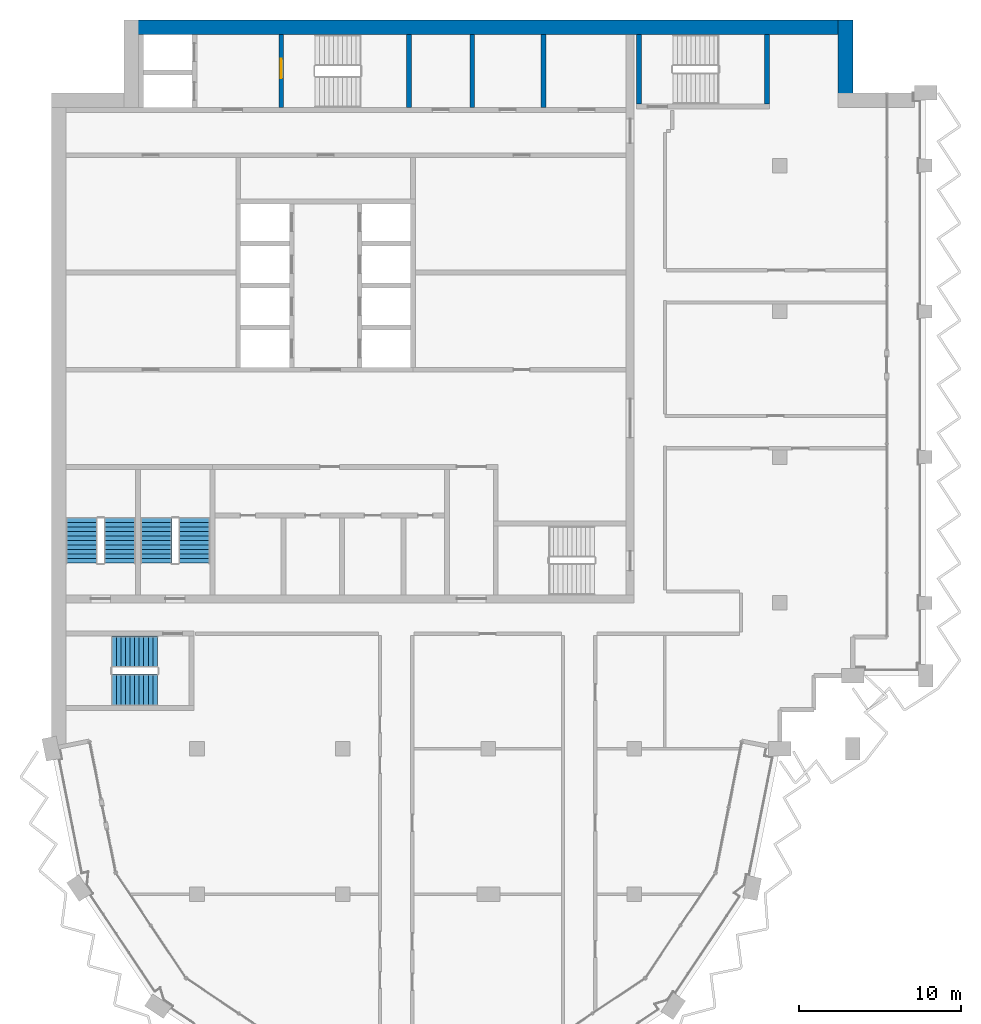
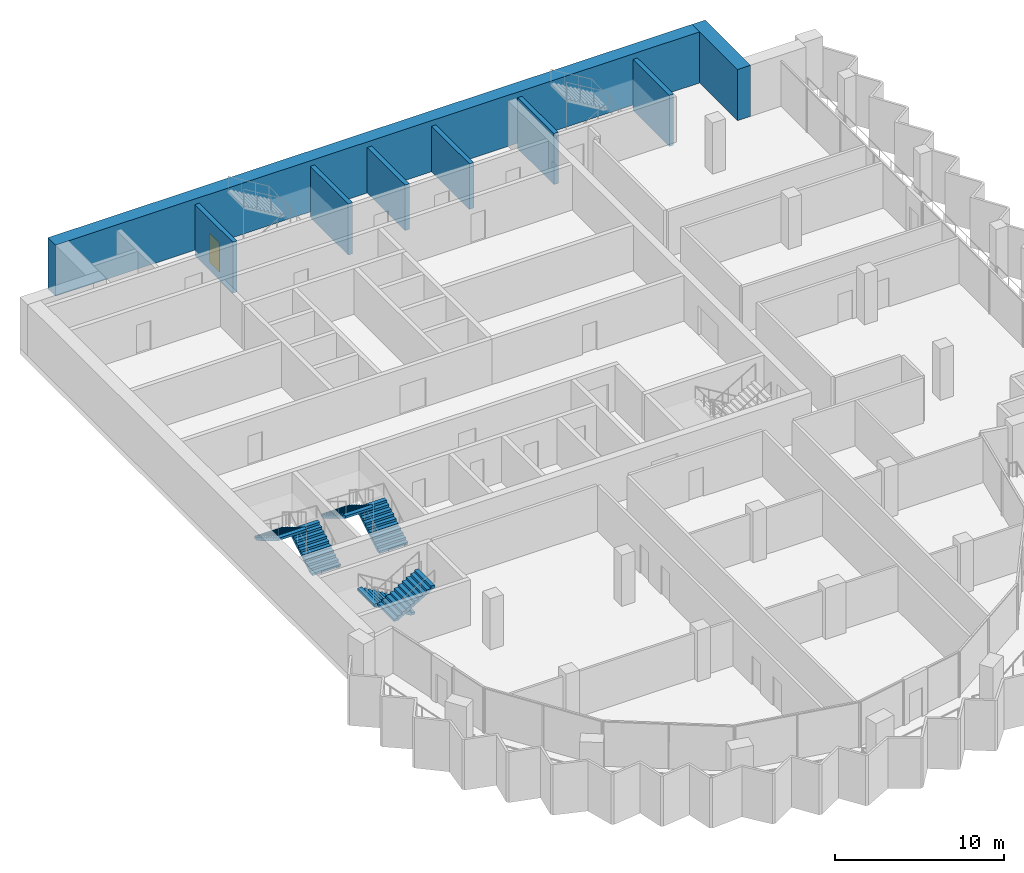
# One storey, part 9 of 13: 8 walls, 6 stair flights, 1 door, 1 opening, 3 elements without a shape of their own.
"""IFC4 building model written with IfcOpenShell, lengths in metres."""

from ifc_helpers import new_model, si_unit, direction, frame, frame_2d, origin, place, context, subcontext, project, spatial, polyline, rectangle, outline, extrude, material, layer, layer_set, type_object, element, fill, aggregate, save


model = new_model("IFC4")

# Units and contexts
model_context = context("Model", 3, precision=1e-05, world=origin(), true_north=direction((0.0, 1.0)))
body_context = subcontext(model_context, "Body", "Model", "MODEL_VIEW")
ifc_project = project(units=[si_unit("LENGTHUNIT", "METRE"), si_unit("AREAUNIT", "SQUARE_METRE"), si_unit("VOLUMEUNIT", "CUBIC_METRE"), si_unit("PLANEANGLEUNIT", "RADIAN"), si_unit("MASSUNIT", "GRAM", prefix="KILO")], contexts=[model_context])

# Site, building, storey
site_placement = place(None, origin())
site = spatial("IfcSite", under=ifc_project, at=site_placement, CompositionType="ELEMENT")
building_placement = place(site_placement, origin())
building = spatial("IfcBuilding", under=site, at=building_placement, Name="Hunhe Ridgeline Campus", CompositionType="ELEMENT")
storey_placement = place(building_placement, frame((0.0, 0.0, 280.800048828125)))
storey = spatial("IfcBuildingStorey", under=building, at=storey_placement, Name="L72", CompositionType="ELEMENT", Elevation=280.800048828125)

# Walls
ifc_material_1 = material(Name="Masonry concrete blockwork", Category="masonry")
ifc_layer_1 = layer(ifc_material_1, 0.300048828125)
ifc_layer_set_1 = layer_set([ifc_layer_1], Name="Core room partition 300 concrete block")
wall_type_1 = type_object("IfcWallType", Name="Core room partition 300 concrete block", PredefinedType="PARTITIONING", material=ifc_layer_set_1)
for number, where, z_axis, x_axis, name in (
    (1, (26.0, 93.60009765625, 0.0), (0.0, 0.0, 1.0), (0.0, 1.0, 0.0), "L72 core partition 40"),
    (2, (30.39990234375, 93.60009765625, 0.0), (0.0, 0.0, 1.0), (0.0, 1.0, 0.0), "L72 core partition 43"),
):
    element("IfcWall", number, at=place(storey_placement, frame(where, z_axis=z_axis, x_axis=x_axis)), inside=storey, type_object=wall_type_1, Name=name, PredefinedType="PARTITIONING", context=body_context, shape_type="SweptSolid", body=[
        extrude(rectangle(XDim=4.5, YDim=0.300048828125, at=frame_2d((2.25, 0.0))), origin(), (0.0, 0.0, 1.0), 3.300048828125),
    ])
ifc_material_2 = material(Name="Concrete C50", Category="concrete")
ifc_layer_2 = layer(ifc_material_2, 0.89990234375)
ifc_layer_set_2 = layer_set([ifc_layer_2], Name="Spine wall 900 Concrete C50")
wall_type_2 = type_object("IfcWallType", Name="Spine wall 900 Concrete C50", PredefinedType="SHEAR", material=ifc_layer_set_2)
wall_1_placement = place(storey_placement, frame((49.050048828125, 93.60009765625, 0.0), z_axis=(0.0, 0.0, 1.0), x_axis=(0.0, 1.0, 0.0)))
element("IfcWall", 3, at=wall_1_placement, inside=storey, type_object=wall_type_2, Name="Spine wall SW4-3 L72", PredefinedType="SHEAR", context=body_context, shape_type="SweptSolid", body=[
    extrude(rectangle(XDim=5.39990234375, YDim=0.89990234375, at=frame_2d((2.699951171875, 0.0))), origin(), (0.0, 0.0, 1.0), 3.699951171875),
])
wall_2_placement = place(storey_placement, frame((49.5, 98.550048828125, 0.0), z_axis=(0.0, 0.0, 1.0), x_axis=(-1.0, 0.0, 0.0)))
element("IfcWall", 4, at=wall_2_placement, inside=storey, type_object=wall_type_2, Name="Spine wall SW4-4 L72", PredefinedType="SHEAR", context=body_context, shape_type="SweptSolid", body=[
    extrude(rectangle(XDim=45.0, YDim=0.89990234375, at=frame_2d((22.5, 0.0))), origin(), (0.0, 0.0, 1.0), 3.699951171875),
])

# Wall, opening, door
ifc_layer_3 = layer(ifc_material_2, 0.300048828125)
ifc_layer_set_3 = layer_set([ifc_layer_3], Name="Stair wall 300 reinforced concrete C50")
wall_type_3 = type_object("IfcWallType", Name="Stair wall 300 reinforced concrete C50", PredefinedType="SOLIDWALL", material=ifc_layer_set_3)
wall_3_placement = place(storey_placement, frame((14.199951171875, 93.60009765625, -0.400146484375), z_axis=(0.0, 0.0, 1.0), x_axis=(0.0, 1.0, 0.0)))
wall_3 = element("IfcWall", 5, at=wall_3_placement, inside=storey, type_object=wall_type_3, Name="L72 core wall 30", PredefinedType="SOLIDWALL", context=body_context, shape_type="SweptSolid", body=[
    extrude(rectangle(XDim=4.5, YDim=0.300048828125, at=frame_2d((2.25, 0.0))), origin(), (0.0, 0.0, 1.0), 3.7001953125),
])
opening_placement = place(wall_3_placement, frame((1.800048828125, 0.0, 0.39990234375)))
opening = element("IfcOpeningElement", 6, at=opening_placement, cuts=wall_3, Name="Opening CD16", PredefinedType="OPENING", context=body_context, shape_type="SweptSolid", body=[
    extrude(rectangle(XDim=1.199951171875, YDim=2.10009765625, at=frame_2d((0.60009765625, 1.050048828125))), frame((0.0, 0.14990234375, 0.0), z_axis=(0.0, -1.0, 0.0), x_axis=(1.0, 0.0, 0.0)), (0.0, 0.0, 1.0), 0.300048828125),
])
ifc_material_3 = material(Name="Hollow metal fire door leaf")
door_type = type_object("IfcDoorType", Name="Stair door 1200x2100 FD60", OperationType="SINGLE_SWING_LEFT", PredefinedType="DOOR", material=ifc_material_3)
door_placement = place(opening_placement, origin())
door = element("IfcDoor", 7, at=door_placement, inside=storey, type_object=door_type, Name="L72 door S1-FF", OperationType="SINGLE_SWING_RIGHT", OverallHeight=2.10009765625, OverallWidth=1.199951171875, PredefinedType="DOOR", context=body_context, shape_type="SweptSolid", body=[
    extrude(rectangle(XDim=1.199951171875, YDim=2.10009765625, at=frame_2d((0.60009765625, 1.050048828125))), frame((0.0, 0.02490234375, 0.0), z_axis=(0.0, -1.0, 0.0), x_axis=(1.0, 0.0, 0.0)), (0.0, 0.0, 1.0), 0.050048828125),
])
fill(opening, door)

# Walls
wall_4_placement = place(storey_placement, frame((22.10009765625, 93.60009765625, -0.400146484375), z_axis=(0.0, 0.0, 1.0), x_axis=(0.0, 1.0, 0.0)))
element("IfcWall", 8, at=wall_4_placement, inside=storey, type_object=wall_type_3, Name="L72 core wall 36", PredefinedType="SOLIDWALL", context=body_context, shape_type="SweptSolid", body=[
    extrude(rectangle(XDim=4.5, YDim=0.300048828125, at=frame_2d((2.25, 0.0))), origin(), (0.0, 0.0, 1.0), 3.7001953125),
])
for number, where, z_axis, x_axis, name in (
    (9, (36.300048828125, 93.800048828125, -0.400146484375), (0.0, 0.0, 1.0), (0.0, 1.0, 0.0), "L72 core wall 45"),
    (10, (44.199951171875, 93.800048828125, -0.400146484375), (0.0, 0.0, 1.0), (0.0, 1.0, 0.0), "L72 core wall 46"),
):
    element("IfcWall", number, at=place(storey_placement, frame(where, z_axis=z_axis, x_axis=x_axis)), inside=storey, type_object=wall_type_3, Name=name, PredefinedType="SOLIDWALL", context=body_context, shape_type="SweptSolid", body=[
        extrude(rectangle(XDim=4.300048828125, YDim=0.300048828125, at=frame_2d((2.14990234375, 0.0))), origin(), (0.0, 0.0, 1.0), 3.7001953125),
    ])

# Stair, stair flights
ifc_material_4 = material(Name="Concrete C40", Category="concrete")
stair_type = type_object("IfcStairType", Name="Reinforced concrete dog-leg stair 1950 Concrete C40", PredefinedType="HALF_TURN_STAIR", material=ifc_material_4)
stair_1_placement = place(storey_placement, origin())
stair_1 = element("IfcStair", 11, at=stair_1_placement, inside=storey, type_object=stair_type, Name="L72 S3", PredefinedType="HALF_TURN_STAIR")
stair_flight_type = type_object("IfcStairFlightType", Name="Reinforced concrete stair flight 1950 Concrete C40", PredefinedType="STRAIGHT", material=ifc_material_4)
stair_flight_1_placement = place(storey_placement, frame((4.22509765625, 65.449951171875, 0.0), z_axis=(0.0, 0.0, 1.0), x_axis=(0.0, 1.0, 0.0)))
stair_flight_1 = element("IfcStairFlight", 12, at=stair_flight_1_placement, type_object=stair_flight_type, Name="ST3 flight 1", NumberOfRisers=11, NumberOfTreads=10, PredefinedType="STRAIGHT", RiserHeight=0.168181818, TreadLength=0.28, context=body_context, shape_type="SweptSolid", body=[
    extrude(outline(polyline([(0.0, 0.0), (0.0, 0.168212890625), (0.280029296875, 0.168212890625), (0.280029296875, 0.33642578125), (0.56005859375, 0.33642578125), (0.56005859375, 0.504638671875), (0.840087890625, 0.504638671875), (0.840087890625, 0.672607421875), (1.1201171875, 0.672607421875), (1.1201171875, 0.8408203125), (1.39990234375, 0.8408203125), (1.39990234375, 1.009033203125), (1.679931640625, 1.009033203125), (1.679931640625, 1.17724609375), (1.9599609375, 1.17724609375), (1.9599609375, 1.345458984375), (2.239990234375, 1.345458984375), (2.239990234375, 1.513671875), (2.52001953125, 1.513671875), (2.52001953125, 1.681884765625), (2.800048828125, 1.681884765625), (2.800048828125, 1.85009765625), (2.800048828125, 1.5068359375), (0.291015625, 0.0), (0.0, 0.0)])), frame((0.0, 0.97509765625, 0.0), z_axis=(0.0, -1.0, 0.0), x_axis=(1.0, 0.0, 0.0)), (0.0, 0.0, 1.0), 1.949951171875),
    extrude(outline(polyline([(0.030029296875, 0.030029296875), (0.030029296875, 0.13818359375), (0.31005859375, 0.13818359375), (0.31005859375, 0.306396484375), (0.590087890625, 0.306396484375), (0.590087890625, 0.474609375), (0.8701171875, 0.474609375), (0.8701171875, 0.642578125), (1.14990234375, 0.642578125), (1.14990234375, 0.810791015625), (1.429931640625, 0.810791015625), (1.429931640625, 0.97900390625), (1.7099609375, 0.97900390625), (1.7099609375, 1.147216796875), (1.989990234375, 1.147216796875), (1.989990234375, 1.3154296875), (2.27001953125, 1.3154296875), (2.27001953125, 1.483642578125), (2.550048828125, 1.483642578125), (2.550048828125, 1.65185546875), (2.77001953125, 1.65185546875), (2.77001953125, 1.52392578125), (0.28271484375, 0.030029296875), (0.030029296875, 0.030029296875)])), frame((0.0, -0.070068359375, 0.0), z_axis=(0.0, -1.0, 0.0), x_axis=(1.0, 0.0, 0.0)), (0.0, 0.0, 1.0), 0.019775390625),
    extrude(outline(polyline([(0.030029296875, 0.030029296875), (0.030029296875, 0.13818359375), (0.31005859375, 0.13818359375), (0.31005859375, 0.306396484375), (0.590087890625, 0.306396484375), (0.590087890625, 0.474609375), (0.8701171875, 0.474609375), (0.8701171875, 0.642578125), (1.14990234375, 0.642578125), (1.14990234375, 0.810791015625), (1.429931640625, 0.810791015625), (1.429931640625, 0.97900390625), (1.7099609375, 0.97900390625), (1.7099609375, 1.147216796875), (1.989990234375, 1.147216796875), (1.989990234375, 1.3154296875), (2.27001953125, 1.3154296875), (2.27001953125, 1.483642578125), (2.550048828125, 1.483642578125), (2.550048828125, 1.65185546875), (2.77001953125, 1.65185546875), (2.77001953125, 1.52392578125), (0.28271484375, 0.030029296875), (0.030029296875, 0.030029296875)])), frame((0.0, 0.010009765625, 0.0), z_axis=(0.0, -1.0, 0.0), x_axis=(1.0, 0.0, 0.0)), (0.0, 0.0, 1.0), 0.019775390625),
    extrude(outline(polyline([(0.030029296875, 0.030029296875), (0.030029296875, 0.13818359375), (0.31005859375, 0.13818359375), (0.31005859375, 0.306396484375), (0.590087890625, 0.306396484375), (0.590087890625, 0.474609375), (0.8701171875, 0.474609375), (0.8701171875, 0.642578125), (1.14990234375, 0.642578125), (1.14990234375, 0.810791015625), (1.429931640625, 0.810791015625), (1.429931640625, 0.97900390625), (1.7099609375, 0.97900390625), (1.7099609375, 1.147216796875), (1.989990234375, 1.147216796875), (1.989990234375, 1.3154296875), (2.27001953125, 1.3154296875), (2.27001953125, 1.483642578125), (2.550048828125, 1.483642578125), (2.550048828125, 1.65185546875), (2.77001953125, 1.65185546875), (2.77001953125, 1.52392578125), (0.28271484375, 0.030029296875), (0.030029296875, 0.030029296875)])), frame((0.0, 0.090087890625, 0.0), z_axis=(0.0, -1.0, 0.0), x_axis=(1.0, 0.0, 0.0)), (0.0, 0.0, 1.0), 0.019775390625),
])
stair_flight_2_placement = place(storey_placement, frame((1.875, 68.25, 1.849853515625), z_axis=(0.0, 0.0, 1.0), x_axis=(0.0, -1.0, 0.0)))
stair_flight_2 = element("IfcStairFlight", 13, at=stair_flight_2_placement, type_object=stair_flight_type, Name="ST3 flight 2", NumberOfRisers=11, NumberOfTreads=10, PredefinedType="STRAIGHT", RiserHeight=0.168181818, TreadLength=0.28, context=body_context, shape_type="SweptSolid", body=[
    extrude(outline(polyline([(0.0, 0.0), (0.0, 0.168212890625), (0.280029296875, 0.168212890625), (0.280029296875, 0.33642578125), (0.56005859375, 0.33642578125), (0.56005859375, 0.504638671875), (0.840087890625, 0.504638671875), (0.840087890625, 0.672607421875), (1.1201171875, 0.672607421875), (1.1201171875, 0.8408203125), (1.39990234375, 0.8408203125), (1.39990234375, 1.009033203125), (1.679931640625, 1.009033203125), (1.679931640625, 1.17724609375), (1.9599609375, 1.17724609375), (1.9599609375, 1.345458984375), (2.239990234375, 1.345458984375), (2.239990234375, 1.513671875), (2.52001953125, 1.513671875), (2.52001953125, 1.681884765625), (2.800048828125, 1.681884765625), (2.800048828125, 1.85009765625), (2.800048828125, 1.5068359375), (0.291015625, 0.0), (0.0, 0.0)])), frame((0.0, 0.97509765625, 0.0), z_axis=(0.0, -1.0, 0.0), x_axis=(1.0, 0.0, 0.0)), (0.0, 0.0, 1.0), 1.949951171875),
    extrude(outline(polyline([(0.030029296875, 0.030029296875), (0.030029296875, 0.13818359375), (0.31005859375, 0.13818359375), (0.31005859375, 0.306396484375), (0.590087890625, 0.306396484375), (0.590087890625, 0.474609375), (0.8701171875, 0.474609375), (0.8701171875, 0.642578125), (1.14990234375, 0.642578125), (1.14990234375, 0.810791015625), (1.429931640625, 0.810791015625), (1.429931640625, 0.97900390625), (1.7099609375, 0.97900390625), (1.7099609375, 1.147216796875), (1.989990234375, 1.147216796875), (1.989990234375, 1.3154296875), (2.27001953125, 1.3154296875), (2.27001953125, 1.483642578125), (2.550048828125, 1.483642578125), (2.550048828125, 1.65185546875), (2.77001953125, 1.65185546875), (2.77001953125, 1.52392578125), (0.28271484375, 0.030029296875), (0.030029296875, 0.030029296875)])), frame((0.0, -0.070068359375, 0.0), z_axis=(0.0, -1.0, 0.0), x_axis=(1.0, 0.0, 0.0)), (0.0, 0.0, 1.0), 0.019775390625),
    extrude(outline(polyline([(0.030029296875, 0.030029296875), (0.030029296875, 0.13818359375), (0.31005859375, 0.13818359375), (0.31005859375, 0.306396484375), (0.590087890625, 0.306396484375), (0.590087890625, 0.474609375), (0.8701171875, 0.474609375), (0.8701171875, 0.642578125), (1.14990234375, 0.642578125), (1.14990234375, 0.810791015625), (1.429931640625, 0.810791015625), (1.429931640625, 0.97900390625), (1.7099609375, 0.97900390625), (1.7099609375, 1.147216796875), (1.989990234375, 1.147216796875), (1.989990234375, 1.3154296875), (2.27001953125, 1.3154296875), (2.27001953125, 1.483642578125), (2.550048828125, 1.483642578125), (2.550048828125, 1.65185546875), (2.77001953125, 1.65185546875), (2.77001953125, 1.52392578125), (0.28271484375, 0.030029296875), (0.030029296875, 0.030029296875)])), frame((0.0, 0.010009765625, 0.0), z_axis=(0.0, -1.0, 0.0), x_axis=(1.0, 0.0, 0.0)), (0.0, 0.0, 1.0), 0.019775390625),
    extrude(outline(polyline([(0.030029296875, 0.030029296875), (0.030029296875, 0.13818359375), (0.31005859375, 0.13818359375), (0.31005859375, 0.306396484375), (0.590087890625, 0.306396484375), (0.590087890625, 0.474609375), (0.8701171875, 0.474609375), (0.8701171875, 0.642578125), (1.14990234375, 0.642578125), (1.14990234375, 0.810791015625), (1.429931640625, 0.810791015625), (1.429931640625, 0.97900390625), (1.7099609375, 0.97900390625), (1.7099609375, 1.147216796875), (1.989990234375, 1.147216796875), (1.989990234375, 1.3154296875), (2.27001953125, 1.3154296875), (2.27001953125, 1.483642578125), (2.550048828125, 1.483642578125), (2.550048828125, 1.65185546875), (2.77001953125, 1.65185546875), (2.77001953125, 1.52392578125), (0.28271484375, 0.030029296875), (0.030029296875, 0.030029296875)])), frame((0.0, 0.090087890625, 0.0), z_axis=(0.0, -1.0, 0.0), x_axis=(1.0, 0.0, 0.0)), (0.0, 0.0, 1.0), 0.019775390625),
])
aggregate(stair_1, [stair_flight_1, stair_flight_2])

stair_2_placement = place(storey_placement, origin())
stair_2 = element("IfcStair", 14, at=stair_2_placement, inside=storey, type_object=stair_type, Name="L72 S4", PredefinedType="HALF_TURN_STAIR")
stair_flight_3_placement = place(storey_placement, frame((8.824951171875, 65.449951171875, 0.0), z_axis=(0.0, 0.0, 1.0), x_axis=(0.0, 1.0, 0.0)))
stair_flight_3 = element("IfcStairFlight", 15, at=stair_flight_3_placement, type_object=stair_flight_type, Name="ST4 flight 1", NumberOfRisers=11, NumberOfTreads=10, PredefinedType="STRAIGHT", RiserHeight=0.168181818, TreadLength=0.28, context=body_context, shape_type="SweptSolid", body=[
    extrude(outline(polyline([(0.0, 0.0), (0.0, 0.168212890625), (0.280029296875, 0.168212890625), (0.280029296875, 0.33642578125), (0.56005859375, 0.33642578125), (0.56005859375, 0.504638671875), (0.840087890625, 0.504638671875), (0.840087890625, 0.672607421875), (1.1201171875, 0.672607421875), (1.1201171875, 0.8408203125), (1.39990234375, 0.8408203125), (1.39990234375, 1.009033203125), (1.679931640625, 1.009033203125), (1.679931640625, 1.17724609375), (1.9599609375, 1.17724609375), (1.9599609375, 1.345458984375), (2.239990234375, 1.345458984375), (2.239990234375, 1.513671875), (2.52001953125, 1.513671875), (2.52001953125, 1.681884765625), (2.800048828125, 1.681884765625), (2.800048828125, 1.85009765625), (2.800048828125, 1.5068359375), (0.291015625, 0.0), (0.0, 0.0)])), frame((0.0, 0.97509765625, 0.0), z_axis=(0.0, -1.0, 0.0), x_axis=(1.0, 0.0, 0.0)), (0.0, 0.0, 1.0), 1.949951171875),
    extrude(outline(polyline([(0.030029296875, 0.030029296875), (0.030029296875, 0.13818359375), (0.31005859375, 0.13818359375), (0.31005859375, 0.306396484375), (0.590087890625, 0.306396484375), (0.590087890625, 0.474609375), (0.8701171875, 0.474609375), (0.8701171875, 0.642578125), (1.14990234375, 0.642578125), (1.14990234375, 0.810791015625), (1.429931640625, 0.810791015625), (1.429931640625, 0.97900390625), (1.7099609375, 0.97900390625), (1.7099609375, 1.147216796875), (1.989990234375, 1.147216796875), (1.989990234375, 1.3154296875), (2.27001953125, 1.3154296875), (2.27001953125, 1.483642578125), (2.550048828125, 1.483642578125), (2.550048828125, 1.65185546875), (2.77001953125, 1.65185546875), (2.77001953125, 1.52392578125), (0.28271484375, 0.030029296875), (0.030029296875, 0.030029296875)])), frame((0.0, -0.070068359375, 0.0), z_axis=(0.0, -1.0, 0.0), x_axis=(1.0, 0.0, 0.0)), (0.0, 0.0, 1.0), 0.019775390625),
    extrude(outline(polyline([(0.030029296875, 0.030029296875), (0.030029296875, 0.13818359375), (0.31005859375, 0.13818359375), (0.31005859375, 0.306396484375), (0.590087890625, 0.306396484375), (0.590087890625, 0.474609375), (0.8701171875, 0.474609375), (0.8701171875, 0.642578125), (1.14990234375, 0.642578125), (1.14990234375, 0.810791015625), (1.429931640625, 0.810791015625), (1.429931640625, 0.97900390625), (1.7099609375, 0.97900390625), (1.7099609375, 1.147216796875), (1.989990234375, 1.147216796875), (1.989990234375, 1.3154296875), (2.27001953125, 1.3154296875), (2.27001953125, 1.483642578125), (2.550048828125, 1.483642578125), (2.550048828125, 1.65185546875), (2.77001953125, 1.65185546875), (2.77001953125, 1.52392578125), (0.28271484375, 0.030029296875), (0.030029296875, 0.030029296875)])), frame((0.0, 0.010009765625, 0.0), z_axis=(0.0, -1.0, 0.0), x_axis=(1.0, 0.0, 0.0)), (0.0, 0.0, 1.0), 0.019775390625),
    extrude(outline(polyline([(0.030029296875, 0.030029296875), (0.030029296875, 0.13818359375), (0.31005859375, 0.13818359375), (0.31005859375, 0.306396484375), (0.590087890625, 0.306396484375), (0.590087890625, 0.474609375), (0.8701171875, 0.474609375), (0.8701171875, 0.642578125), (1.14990234375, 0.642578125), (1.14990234375, 0.810791015625), (1.429931640625, 0.810791015625), (1.429931640625, 0.97900390625), (1.7099609375, 0.97900390625), (1.7099609375, 1.147216796875), (1.989990234375, 1.147216796875), (1.989990234375, 1.3154296875), (2.27001953125, 1.3154296875), (2.27001953125, 1.483642578125), (2.550048828125, 1.483642578125), (2.550048828125, 1.65185546875), (2.77001953125, 1.65185546875), (2.77001953125, 1.52392578125), (0.28271484375, 0.030029296875), (0.030029296875, 0.030029296875)])), frame((0.0, 0.090087890625, 0.0), z_axis=(0.0, -1.0, 0.0), x_axis=(1.0, 0.0, 0.0)), (0.0, 0.0, 1.0), 0.019775390625),
])
stair_flight_4_placement = place(storey_placement, frame((6.47509765625, 68.25, 1.849853515625), z_axis=(0.0, 0.0, 1.0), x_axis=(0.0, -1.0, 0.0)))
stair_flight_4 = element("IfcStairFlight", 16, at=stair_flight_4_placement, type_object=stair_flight_type, Name="ST4 flight 2", NumberOfRisers=11, NumberOfTreads=10, PredefinedType="STRAIGHT", RiserHeight=0.168181818, TreadLength=0.28, context=body_context, shape_type="SweptSolid", body=[
    extrude(outline(polyline([(0.0, 0.0), (0.0, 0.168212890625), (0.280029296875, 0.168212890625), (0.280029296875, 0.33642578125), (0.56005859375, 0.33642578125), (0.56005859375, 0.504638671875), (0.840087890625, 0.504638671875), (0.840087890625, 0.672607421875), (1.1201171875, 0.672607421875), (1.1201171875, 0.8408203125), (1.39990234375, 0.8408203125), (1.39990234375, 1.009033203125), (1.679931640625, 1.009033203125), (1.679931640625, 1.17724609375), (1.9599609375, 1.17724609375), (1.9599609375, 1.345458984375), (2.239990234375, 1.345458984375), (2.239990234375, 1.513671875), (2.52001953125, 1.513671875), (2.52001953125, 1.681884765625), (2.800048828125, 1.681884765625), (2.800048828125, 1.85009765625), (2.800048828125, 1.5068359375), (0.291015625, 0.0), (0.0, 0.0)])), frame((0.0, 0.97509765625, 0.0), z_axis=(0.0, -1.0, 0.0), x_axis=(1.0, 0.0, 0.0)), (0.0, 0.0, 1.0), 1.949951171875),
    extrude(outline(polyline([(0.030029296875, 0.030029296875), (0.030029296875, 0.13818359375), (0.31005859375, 0.13818359375), (0.31005859375, 0.306396484375), (0.590087890625, 0.306396484375), (0.590087890625, 0.474609375), (0.8701171875, 0.474609375), (0.8701171875, 0.642578125), (1.14990234375, 0.642578125), (1.14990234375, 0.810791015625), (1.429931640625, 0.810791015625), (1.429931640625, 0.97900390625), (1.7099609375, 0.97900390625), (1.7099609375, 1.147216796875), (1.989990234375, 1.147216796875), (1.989990234375, 1.3154296875), (2.27001953125, 1.3154296875), (2.27001953125, 1.483642578125), (2.550048828125, 1.483642578125), (2.550048828125, 1.65185546875), (2.77001953125, 1.65185546875), (2.77001953125, 1.52392578125), (0.28271484375, 0.030029296875), (0.030029296875, 0.030029296875)])), frame((0.0, -0.070068359375, 0.0), z_axis=(0.0, -1.0, 0.0), x_axis=(1.0, 0.0, 0.0)), (0.0, 0.0, 1.0), 0.019775390625),
    extrude(outline(polyline([(0.030029296875, 0.030029296875), (0.030029296875, 0.13818359375), (0.31005859375, 0.13818359375), (0.31005859375, 0.306396484375), (0.590087890625, 0.306396484375), (0.590087890625, 0.474609375), (0.8701171875, 0.474609375), (0.8701171875, 0.642578125), (1.14990234375, 0.642578125), (1.14990234375, 0.810791015625), (1.429931640625, 0.810791015625), (1.429931640625, 0.97900390625), (1.7099609375, 0.97900390625), (1.7099609375, 1.147216796875), (1.989990234375, 1.147216796875), (1.989990234375, 1.3154296875), (2.27001953125, 1.3154296875), (2.27001953125, 1.483642578125), (2.550048828125, 1.483642578125), (2.550048828125, 1.65185546875), (2.77001953125, 1.65185546875), (2.77001953125, 1.52392578125), (0.28271484375, 0.030029296875), (0.030029296875, 0.030029296875)])), frame((0.0, 0.010009765625, 0.0), z_axis=(0.0, -1.0, 0.0), x_axis=(1.0, 0.0, 0.0)), (0.0, 0.0, 1.0), 0.019775390625),
    extrude(outline(polyline([(0.030029296875, 0.030029296875), (0.030029296875, 0.13818359375), (0.31005859375, 0.13818359375), (0.31005859375, 0.306396484375), (0.590087890625, 0.306396484375), (0.590087890625, 0.474609375), (0.8701171875, 0.474609375), (0.8701171875, 0.642578125), (1.14990234375, 0.642578125), (1.14990234375, 0.810791015625), (1.429931640625, 0.810791015625), (1.429931640625, 0.97900390625), (1.7099609375, 0.97900390625), (1.7099609375, 1.147216796875), (1.989990234375, 1.147216796875), (1.989990234375, 1.3154296875), (2.27001953125, 1.3154296875), (2.27001953125, 1.483642578125), (2.550048828125, 1.483642578125), (2.550048828125, 1.65185546875), (2.77001953125, 1.65185546875), (2.77001953125, 1.52392578125), (0.28271484375, 0.030029296875), (0.030029296875, 0.030029296875)])), frame((0.0, 0.090087890625, 0.0), z_axis=(0.0, -1.0, 0.0), x_axis=(1.0, 0.0, 0.0)), (0.0, 0.0, 1.0), 0.019775390625),
])
aggregate(stair_2, [stair_flight_3, stair_flight_4])

stair_3_placement = place(storey_placement, origin())
stair_3 = element("IfcStair", 17, at=stair_3_placement, inside=storey, type_object=stair_type, Name="L72 W2", PredefinedType="HALF_TURN_STAIR")
stair_flight_5_placement = place(storey_placement, frame((6.550048828125, 59.97509765625, 0.0), z_axis=(0.0, 0.0, 1.0), x_axis=(-1.0, 0.0, 0.0)))
stair_flight_5 = element("IfcStairFlight", 18, at=stair_flight_5_placement, type_object=stair_flight_type, Name="ST12 flight 1", NumberOfRisers=11, NumberOfTreads=10, PredefinedType="STRAIGHT", RiserHeight=0.168181818, TreadLength=0.28, context=body_context, shape_type="SweptSolid", body=[
    extrude(outline(polyline([(0.0, 0.0), (0.0, 0.168212890625), (0.280029296875, 0.168212890625), (0.280029296875, 0.33642578125), (0.56005859375, 0.33642578125), (0.56005859375, 0.504638671875), (0.840087890625, 0.504638671875), (0.840087890625, 0.672607421875), (1.1201171875, 0.672607421875), (1.1201171875, 0.8408203125), (1.39990234375, 0.8408203125), (1.39990234375, 1.009033203125), (1.679931640625, 1.009033203125), (1.679931640625, 1.17724609375), (1.9599609375, 1.17724609375), (1.9599609375, 1.345458984375), (2.239990234375, 1.345458984375), (2.239990234375, 1.513671875), (2.52001953125, 1.513671875), (2.52001953125, 1.681884765625), (2.800048828125, 1.681884765625), (2.800048828125, 1.85009765625), (2.800048828125, 1.5068359375), (0.291015625, 0.0), (0.0, 0.0)])), frame((0.0, 0.97509765625, 0.0), z_axis=(0.0, -1.0, 0.0), x_axis=(1.0, 0.0, 0.0)), (0.0, 0.0, 1.0), 1.949951171875),
    extrude(outline(polyline([(0.030029296875, 0.030029296875), (0.030029296875, 0.13818359375), (0.31005859375, 0.13818359375), (0.31005859375, 0.306396484375), (0.590087890625, 0.306396484375), (0.590087890625, 0.474609375), (0.8701171875, 0.474609375), (0.8701171875, 0.642578125), (1.14990234375, 0.642578125), (1.14990234375, 0.810791015625), (1.429931640625, 0.810791015625), (1.429931640625, 0.97900390625), (1.7099609375, 0.97900390625), (1.7099609375, 1.147216796875), (1.989990234375, 1.147216796875), (1.989990234375, 1.3154296875), (2.27001953125, 1.3154296875), (2.27001953125, 1.483642578125), (2.550048828125, 1.483642578125), (2.550048828125, 1.65185546875), (2.77001953125, 1.65185546875), (2.77001953125, 1.52392578125), (0.28271484375, 0.030029296875), (0.030029296875, 0.030029296875)])), frame((0.0, -0.070068359375, 0.0), z_axis=(0.0, -1.0, 0.0), x_axis=(1.0, 0.0, 0.0)), (0.0, 0.0, 1.0), 0.019775390625),
    extrude(outline(polyline([(0.030029296875, 0.030029296875), (0.030029296875, 0.13818359375), (0.31005859375, 0.13818359375), (0.31005859375, 0.306396484375), (0.590087890625, 0.306396484375), (0.590087890625, 0.474609375), (0.8701171875, 0.474609375), (0.8701171875, 0.642578125), (1.14990234375, 0.642578125), (1.14990234375, 0.810791015625), (1.429931640625, 0.810791015625), (1.429931640625, 0.97900390625), (1.7099609375, 0.97900390625), (1.7099609375, 1.147216796875), (1.989990234375, 1.147216796875), (1.989990234375, 1.3154296875), (2.27001953125, 1.3154296875), (2.27001953125, 1.483642578125), (2.550048828125, 1.483642578125), (2.550048828125, 1.65185546875), (2.77001953125, 1.65185546875), (2.77001953125, 1.52392578125), (0.28271484375, 0.030029296875), (0.030029296875, 0.030029296875)])), frame((0.0, 0.010009765625, 0.0), z_axis=(0.0, -1.0, 0.0), x_axis=(1.0, 0.0, 0.0)), (0.0, 0.0, 1.0), 0.019775390625),
    extrude(outline(polyline([(0.030029296875, 0.030029296875), (0.030029296875, 0.13818359375), (0.31005859375, 0.13818359375), (0.31005859375, 0.306396484375), (0.590087890625, 0.306396484375), (0.590087890625, 0.474609375), (0.8701171875, 0.474609375), (0.8701171875, 0.642578125), (1.14990234375, 0.642578125), (1.14990234375, 0.810791015625), (1.429931640625, 0.810791015625), (1.429931640625, 0.97900390625), (1.7099609375, 0.97900390625), (1.7099609375, 1.147216796875), (1.989990234375, 1.147216796875), (1.989990234375, 1.3154296875), (2.27001953125, 1.3154296875), (2.27001953125, 1.483642578125), (2.550048828125, 1.483642578125), (2.550048828125, 1.65185546875), (2.77001953125, 1.65185546875), (2.77001953125, 1.52392578125), (0.28271484375, 0.030029296875), (0.030029296875, 0.030029296875)])), frame((0.0, 0.090087890625, 0.0), z_axis=(0.0, -1.0, 0.0), x_axis=(1.0, 0.0, 0.0)), (0.0, 0.0, 1.0), 0.019775390625),
])
stair_flight_6_placement = place(storey_placement, frame((3.75, 57.625, 1.849853515625), z_axis=(0.0, 0.0, 1.0), x_axis=(1.0, 0.0, 0.0)))
stair_flight_6 = element("IfcStairFlight", 19, at=stair_flight_6_placement, type_object=stair_flight_type, Name="ST12 flight 2", NumberOfRisers=11, NumberOfTreads=10, PredefinedType="STRAIGHT", RiserHeight=0.168181818, TreadLength=0.28, context=body_context, shape_type="SweptSolid", body=[
    extrude(outline(polyline([(0.0, 0.0), (0.0, 0.168212890625), (0.280029296875, 0.168212890625), (0.280029296875, 0.33642578125), (0.56005859375, 0.33642578125), (0.56005859375, 0.504638671875), (0.840087890625, 0.504638671875), (0.840087890625, 0.672607421875), (1.1201171875, 0.672607421875), (1.1201171875, 0.8408203125), (1.39990234375, 0.8408203125), (1.39990234375, 1.009033203125), (1.679931640625, 1.009033203125), (1.679931640625, 1.17724609375), (1.9599609375, 1.17724609375), (1.9599609375, 1.345458984375), (2.239990234375, 1.345458984375), (2.239990234375, 1.513671875), (2.52001953125, 1.513671875), (2.52001953125, 1.681884765625), (2.800048828125, 1.681884765625), (2.800048828125, 1.85009765625), (2.800048828125, 1.5068359375), (0.291015625, 0.0), (0.0, 0.0)])), frame((0.0, 0.97509765625, 0.0), z_axis=(0.0, -1.0, 0.0), x_axis=(1.0, 0.0, 0.0)), (0.0, 0.0, 1.0), 1.949951171875),
    extrude(outline(polyline([(0.030029296875, 0.030029296875), (0.030029296875, 0.13818359375), (0.31005859375, 0.13818359375), (0.31005859375, 0.306396484375), (0.590087890625, 0.306396484375), (0.590087890625, 0.474609375), (0.8701171875, 0.474609375), (0.8701171875, 0.642578125), (1.14990234375, 0.642578125), (1.14990234375, 0.810791015625), (1.429931640625, 0.810791015625), (1.429931640625, 0.97900390625), (1.7099609375, 0.97900390625), (1.7099609375, 1.147216796875), (1.989990234375, 1.147216796875), (1.989990234375, 1.3154296875), (2.27001953125, 1.3154296875), (2.27001953125, 1.483642578125), (2.550048828125, 1.483642578125), (2.550048828125, 1.65185546875), (2.77001953125, 1.65185546875), (2.77001953125, 1.52392578125), (0.28271484375, 0.030029296875), (0.030029296875, 0.030029296875)])), frame((0.0, -0.070068359375, 0.0), z_axis=(0.0, -1.0, 0.0), x_axis=(1.0, 0.0, 0.0)), (0.0, 0.0, 1.0), 0.019775390625),
    extrude(outline(polyline([(0.030029296875, 0.030029296875), (0.030029296875, 0.13818359375), (0.31005859375, 0.13818359375), (0.31005859375, 0.306396484375), (0.590087890625, 0.306396484375), (0.590087890625, 0.474609375), (0.8701171875, 0.474609375), (0.8701171875, 0.642578125), (1.14990234375, 0.642578125), (1.14990234375, 0.810791015625), (1.429931640625, 0.810791015625), (1.429931640625, 0.97900390625), (1.7099609375, 0.97900390625), (1.7099609375, 1.147216796875), (1.989990234375, 1.147216796875), (1.989990234375, 1.3154296875), (2.27001953125, 1.3154296875), (2.27001953125, 1.483642578125), (2.550048828125, 1.483642578125), (2.550048828125, 1.65185546875), (2.77001953125, 1.65185546875), (2.77001953125, 1.52392578125), (0.28271484375, 0.030029296875), (0.030029296875, 0.030029296875)])), frame((0.0, 0.010009765625, 0.0), z_axis=(0.0, -1.0, 0.0), x_axis=(1.0, 0.0, 0.0)), (0.0, 0.0, 1.0), 0.019775390625),
    extrude(outline(polyline([(0.030029296875, 0.030029296875), (0.030029296875, 0.13818359375), (0.31005859375, 0.13818359375), (0.31005859375, 0.306396484375), (0.590087890625, 0.306396484375), (0.590087890625, 0.474609375), (0.8701171875, 0.474609375), (0.8701171875, 0.642578125), (1.14990234375, 0.642578125), (1.14990234375, 0.810791015625), (1.429931640625, 0.810791015625), (1.429931640625, 0.97900390625), (1.7099609375, 0.97900390625), (1.7099609375, 1.147216796875), (1.989990234375, 1.147216796875), (1.989990234375, 1.3154296875), (2.27001953125, 1.3154296875), (2.27001953125, 1.483642578125), (2.550048828125, 1.483642578125), (2.550048828125, 1.65185546875), (2.77001953125, 1.65185546875), (2.77001953125, 1.52392578125), (0.28271484375, 0.030029296875), (0.030029296875, 0.030029296875)])), frame((0.0, 0.090087890625, 0.0), z_axis=(0.0, -1.0, 0.0), x_axis=(1.0, 0.0, 0.0)), (0.0, 0.0, 1.0), 0.019775390625),
])
aggregate(stair_3, [stair_flight_5, stair_flight_6])

save(model, "model.ifc")
